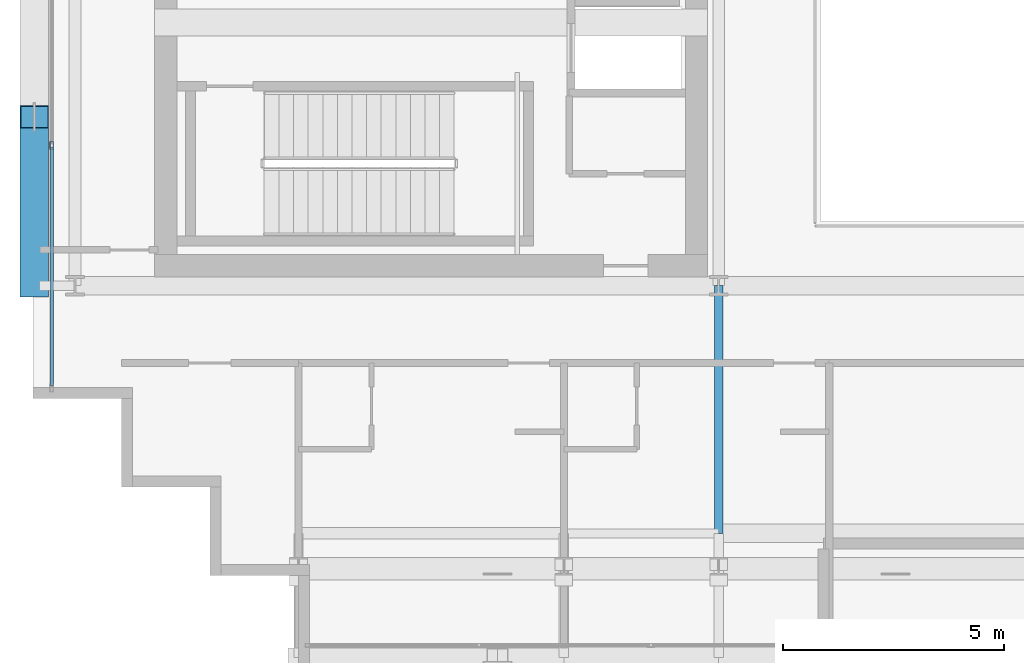
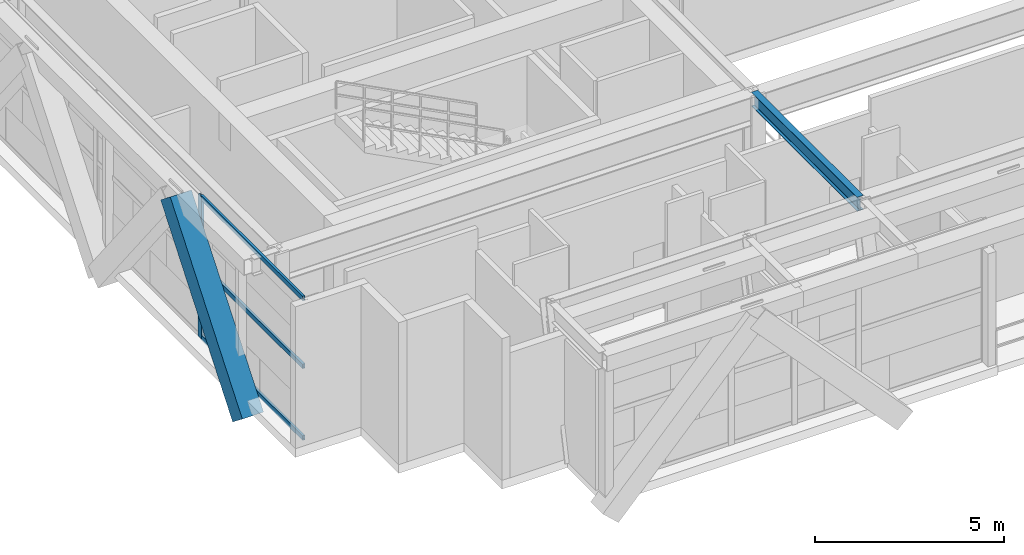
# One storey, part 3 of 31: 5 members, 1 beam, 1 element without a shape of its own.
"""IFC4 building model written with IfcOpenShell, lengths in metres."""

from ifc_helpers import new_model, si_unit, direction, frame, origin, origin_2d, place, context, subcontext, project, spatial, hollow_rectangle, i_section, extrude, source, transform, mapped, material, layer, layer_set, material_profile, profile_set, type_object, element, aggregate, save


model = new_model("IFC4")

# Units and contexts
model_context = context("Model", 3, precision=1e-05, world=origin(), true_north=direction((0.0, 1.0)))
body_context = subcontext(model_context, "Body", "Model", "MODEL_VIEW")
ifc_project = project(units=[si_unit("LENGTHUNIT", "METRE"), si_unit("AREAUNIT", "SQUARE_METRE"), si_unit("VOLUMEUNIT", "CUBIC_METRE"), si_unit("PLANEANGLEUNIT", "RADIAN"), si_unit("MASSUNIT", "GRAM", prefix="KILO")], contexts=[model_context])

# Site, building, storey
site_placement = place(None, origin())
site = spatial("IfcSite", under=ifc_project, at=site_placement, CompositionType="ELEMENT")
building_placement = place(site_placement, origin())
building = spatial("IfcBuilding", under=site, at=building_placement, Name="Ocotamira Hotel", CompositionType="ELEMENT")
storey_placement = place(building_placement, frame((0.0, 0.0, 228.0)))
storey = spatial("IfcBuildingStorey", under=building, at=storey_placement, Name="L57", CompositionType="ELEMENT", Elevation=228.0)

# Beam
ifc_material_1 = material(Name="Steel ASTM A992 Grade 50", Category="steel")
ifc_material_profile_1 = material_profile(ifc_material_1, i_section(OverallWidth=0.18994140625, OverallDepth=0.45703125, WebThickness=0.009033203125, FlangeThickness=0.014404296875, FilletRadius=0.010009765625, at=origin_2d()), Name="W18X50")
ifc_profile_set_1 = profile_set([ifc_material_profile_1], Name="Steel ASTM A992 Grade 50")
beam_type = type_object("IfcBeamType", Name="BM-SEC-W18X50", PredefinedType="JOIST", material=ifc_profile_set_1)
shared_shape_1 = source(origin(), body_context, "Body", "SweptSolid", [
    extrude(i_section(OverallWidth=0.18994140625, OverallDepth=0.45703125, WebThickness=0.009033203125, FlangeThickness=0.014404296875, FilletRadius=0.010009765625, at=origin_2d()), origin(), (0.0, 0.0, 1.0), 5.60009765625),
])
beam_placement = place(storey_placement, frame((23.5, 8.949951171875, 4.3515625), z_axis=(0.0, 1.0, 0.0), x_axis=(-1.0, 0.0, 0.0)))
element("IfcBeam", 1, at=beam_placement, inside=storey, type_object=beam_type, Name="L57 Beam X23.5 Y8.95-14.55", PredefinedType="JOIST", context=body_context, shape_type="MappedRepresentation", body=[
    mapped(shared_shape_1, transform((0.0, 0.0, 0.0), scale=1.0)),
])

# Member
ifc_material_2 = material(Name="Pale-metal coated steel ASTM A913 Grade 65", Category="steel")
ifc_material_profile_2 = material_profile(ifc_material_2, hollow_rectangle(XDim=0.64990234375, YDim=0.64990234375, WallThickness=0.02197265625, at=origin_2d()), Name="BOX650X650X22")
ifc_profile_set_2 = profile_set([ifc_material_profile_2], Name="Pale-metal coated steel ASTM A913 Grade 65")
member_type_1 = type_object("IfcMemberType", Name="MEM-EXO-BOX650", PredefinedType="BRACE", material=ifc_profile_set_2)
shared_shape_2 = source(origin(), body_context, "Body", "SweptSolid", [
    extrude(hollow_rectangle(XDim=0.64990234375, YDim=0.64990234375, WallThickness=0.02197265625, at=origin_2d()), origin(), (0.0, 0.0, 1.0), 6.1796875),
])
member_1_placement = place(storey_placement, frame((8.030029296875, 14.550048828125, -0.530029296875), z_axis=(0.0, 0.61762087854, 0.786475969366), x_axis=(-1.0, 0.0, 0.0)))
element("IfcMember", 2, at=member_1_placement, inside=storey, type_object=member_type_1, Name="L57 Exoskeleton Diagrid W0.1", PredefinedType="BRACE", context=body_context, shape_type="MappedRepresentation", body=[
    mapped(shared_shape_2, transform((0.0, 0.0, 0.0), scale=1.0)),
])

# Curtain wall, members
ifc_material_3 = material(Name="Anodised pale-metal aluminium and solar glass", Category="aluminium")
ifc_layer = layer(ifc_material_3, 0.239990234375)
ifc_layer_set = layer_set([ifc_layer], Name="Anodised pale-metal aluminium and solar glass")
curtain_wall_type = type_object("IfcCurtainWallType", Name="CW-SYS5-SKY", PredefinedType="NOTDEFINED", material=ifc_layer_set)
curtain_wall_placement = place(storey_placement, origin())
curtain_wall = element("IfcCurtainWall", 3, at=curtain_wall_placement, inside=storey, type_object=curtain_wall_type, Name="L57 Curtain Wall CW-5 CW-L57-W", PredefinedType="NOTDEFINED")
ifc_material_4 = material(Name="Anodised pale-metal aluminium 6063-T6", Category="aluminium")
ifc_material_profile_3 = material_profile(ifc_material_4, hollow_rectangle(XDim=0.074951171875, YDim=0.14990234375, WallThickness=0.006103515625, at=origin_2d()), Name="HSS150X75X6")
ifc_profile_set_3 = profile_set([ifc_material_profile_3], Name="Anodised pale-metal aluminium 6063-T6")
member_type_2 = type_object("IfcMemberType", Name="CWT-150X75", PredefinedType="USERDEFINED", material=ifc_profile_set_3)
shared_shape_3 = source(origin(), body_context, "Body", "SweptSolid", [
    extrude(hollow_rectangle(XDim=0.074951171875, YDim=0.14990234375, WallThickness=0.006103515625, at=origin_2d()), origin(), (0.0, 0.0, 1.0), 5.39990234375),
])
member_2_placement = place(storey_placement, frame((8.419921875, 12.280029296875, 0.03759765625), z_axis=(0.0, 1.0, 0.0), x_axis=(-1.0, 0.0, 0.0)))
member_2 = element("IfcMember", 4, at=member_2_placement, type_object=member_type_2, Name="CW-5 transom 1.1", ObjectType="TRANSOM", PredefinedType="USERDEFINED", context=body_context, shape_type="MappedRepresentation", body=[
    mapped(shared_shape_3, transform((0.0, 0.0, 0.0), scale=1.0)),
])
member_3_placement = place(storey_placement, frame((8.419921875, 12.280029296875, 2.35009765625), z_axis=(0.0, 1.0, 0.0), x_axis=(-1.0, 0.0, 0.0)))
member_3 = element("IfcMember", 5, at=member_3_placement, type_object=member_type_2, Name="CW-5 transom 1.2", ObjectType="TRANSOM", PredefinedType="USERDEFINED", context=body_context, shape_type="MappedRepresentation", body=[
    mapped(shared_shape_3, transform((0.0, 0.0, 0.0), scale=1.0)),
])
member_4_placement = place(storey_placement, frame((8.419921875, 12.280029296875, 4.54248046875), z_axis=(0.0, 1.0, 0.0), x_axis=(-1.0, 0.0, 0.0)))
member_4 = element("IfcMember", 6, at=member_4_placement, type_object=member_type_2, Name="CW-5 transom 1.3", ObjectType="TRANSOM", PredefinedType="USERDEFINED", context=body_context, shape_type="MappedRepresentation", body=[
    mapped(shared_shape_3, transform((0.0, 0.0, 0.0), scale=1.0)),
])
ifc_material_profile_4 = material_profile(ifc_material_4, hollow_rectangle(XDim=0.080078125, YDim=0.179931640625, WallThickness=0.006103515625, at=origin_2d()), Name="HSS180X80X6")
ifc_profile_set_4 = profile_set([ifc_material_profile_4], Name="Anodised pale-metal aluminium 6063-T6")
member_type_3 = type_object("IfcMemberType", Name="CWM-180X75", PredefinedType="MULLION", material=ifc_profile_set_4)
shared_shape_4 = source(origin(), body_context, "Body", "SweptSolid", [
    extrude(hollow_rectangle(XDim=0.080078125, YDim=0.179931640625, WallThickness=0.006103515625, at=origin_2d()), origin(), (0.0, 0.0, 1.0), 4.580078125),
])
member_5_placement = place(storey_placement, frame((8.419921875, 17.719970703125, 0.0), z_axis=(0.0, 0.0, 1.0), x_axis=(-1.0, 0.0, 0.0)))
member_5 = element("IfcMember", 7, at=member_5_placement, type_object=member_type_3, Name="CW-5 mullion 2", PredefinedType="MULLION", context=body_context, shape_type="MappedRepresentation", body=[
    mapped(shared_shape_4, transform((0.0, 0.0, 0.0), scale=1.0)),
])
aggregate(curtain_wall, [member_5, member_2, member_3, member_4])

save(model, "model.ifc")
